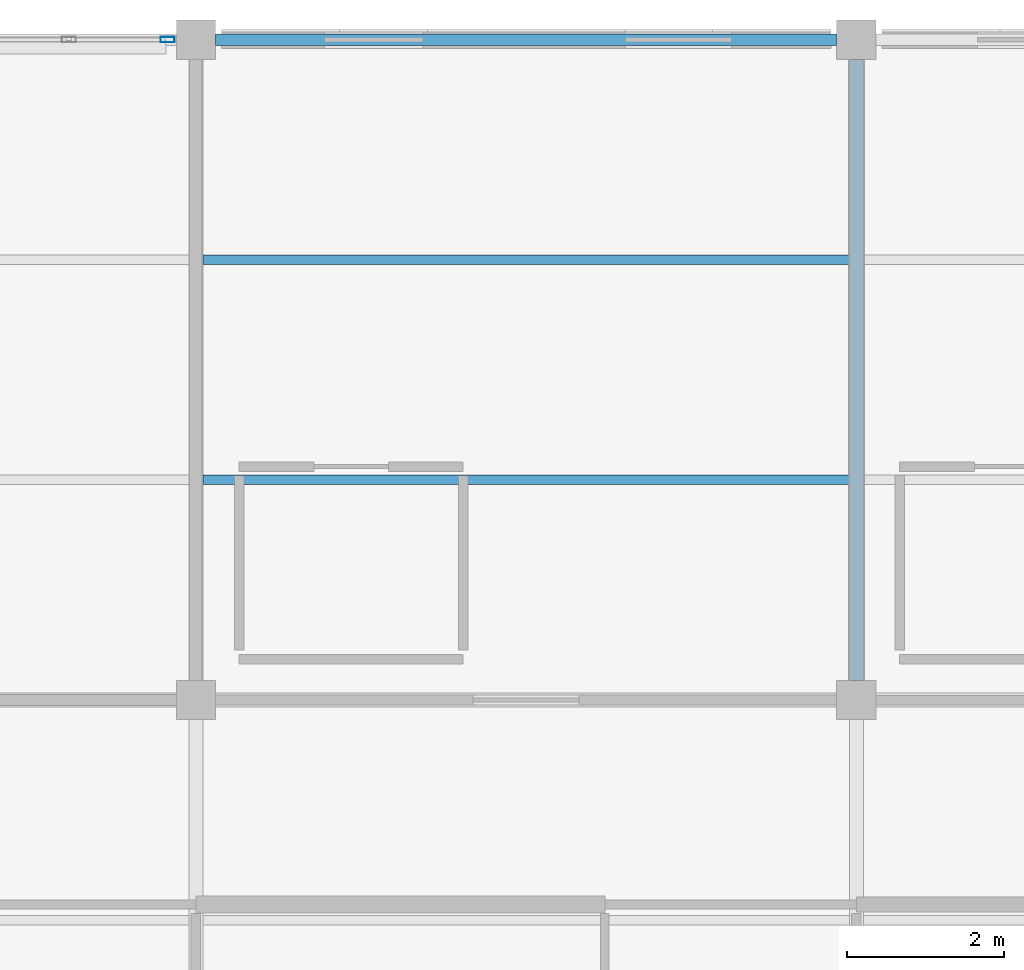
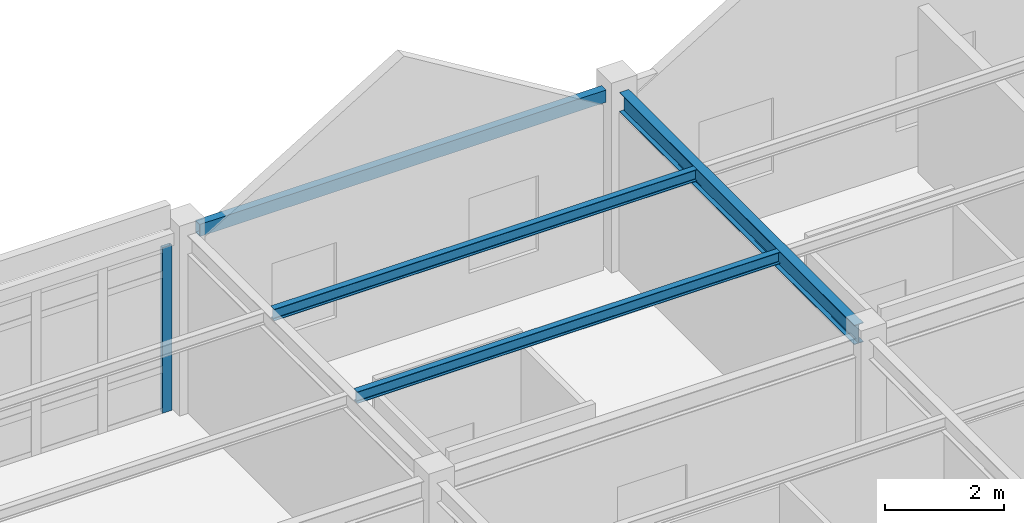
# One storey, part 21 of 45: 4 beams, 1 member, 1 element without a shape of its own.
"""IFC4 building model written with IfcOpenShell, lengths in metres."""

import ifcopenshell
import ifcopenshell.guid

model = None  # the IFC model being written
_history = None  # IfcOwnerHistory: only IFC2X3 demands one
_inside = {}  # id of a spatial element -> (the spatial element, [elements in it])
_under = {}  # id of a project, library or spatial element -> (it, [spatial elements below it])
_declared = {}  # id of a project -> (the project, [libraries it declares])
_typed = {}  # id of a type object -> (the type object, [elements of that type])
_made_of = {}  # id of a material, layer set ... -> (it, [elements and type objects made of it])


def new_model(schema):
    """Start an empty IFC model of exactly this schema.

    Asked for "IFC4X3", IfcOpenShell would pick the latest addendum, in which some entities
    have other attributes; the version numbers below select the first issue.
    IFC2X3 requires an IfcOwnerHistory on every rooted entity: one is made here for all.
    """
    global model, _history
    if schema == "IFC4X3":
        model = ifcopenshell.file(schema_version=(4, 3, 0, 0))
    else:
        model = ifcopenshell.file(schema=schema)
    _inside.clear()
    _under.clear()
    _declared.clear()
    _typed.clear()
    _made_of.clear()
    _history = None
    if model.schema == "IFC2X3":
        org = make("IfcOrganization", Name="unknown")
        user = make(
            "IfcPersonAndOrganization",
            ThePerson=make("IfcPerson", FamilyName="unknown"),
            TheOrganization=org,
        )
        app = make(
            "IfcApplication",
            ApplicationDeveloper=org,
            Version="unknown",
            ApplicationFullName="unknown",
            ApplicationIdentifier="unknown",
        )
        _history = make(
            "IfcOwnerHistory",
            OwningUser=user,
            OwningApplication=app,
            ChangeAction="ADDED",
            CreationDate=0,
        )
    return model


def make(cls, **values):
    """One entity of the class cls with the attributes given. An attribute that is None is left unset."""
    return model.create_entity(
        cls, **{name: value for name, value in values.items() if value is not None}
    )


def rooted(cls, **values):
    """An entity with a GlobalId (a new one), such as an element, a storey or a relation."""
    return make(cls, GlobalId=ifcopenshell.guid.new(), OwnerHistory=_history, **values)


def si_unit(unit_type, name, prefix=None):
    """IfcSIUnit, for example si_unit("LENGTHUNIT", "METRE", prefix="MILLI")."""
    return make("IfcSIUnit", UnitType=unit_type, Prefix=prefix, Name=name)


def assignment(units):
    """IfcUnitAssignment: the units of a project."""
    return None if units is None else make("IfcUnitAssignment", Units=units)


def point(xyz):
    """IfcCartesianPoint."""
    return None if xyz is None else make("IfcCartesianPoint", Coordinates=xyz)


def direction(xyz):
    """IfcDirection."""
    return None if xyz is None else make("IfcDirection", DirectionRatios=xyz)


def frame(location, z_axis=None, x_axis=None):
    """IfcAxis2Placement3D, a coordinate frame: its origin and axes. An axis left out is left unset."""
    return make(
        "IfcAxis2Placement3D",
        Location=point(location),
        Axis=direction(z_axis),
        RefDirection=direction(x_axis),
    )


def frame_2d(location, x_axis=None):
    """IfcAxis2Placement2D, a coordinate frame in the plane: its origin and x axis."""
    return make(
        "IfcAxis2Placement2D", Location=point(location), RefDirection=direction(x_axis)
    )


def origin():
    """The frame at (0, 0, 0) with its axes left unset."""
    return frame((0.0, 0.0, 0.0))


def origin_2d():
    """The frame at (0, 0) in the plane with its x axis left unset."""
    return frame_2d((0.0, 0.0))


def place(relative_to, where):
    """IfcLocalPlacement: puts the frame where relative to a parent placement (None: the world)."""
    return make(
        "IfcLocalPlacement", PlacementRelTo=relative_to, RelativePlacement=where
    )


def context(
    kind, dimensions, precision=None, world=None, true_north=None, identifier=None
):
    """IfcGeometricRepresentationContext, for example the 3D "Model" context."""
    return make(
        "IfcGeometricRepresentationContext",
        ContextIdentifier=identifier,
        ContextType=kind,
        CoordinateSpaceDimension=dimensions,
        Precision=precision,
        WorldCoordinateSystem=world,
        TrueNorth=true_north,
    )


def subcontext(parent, identifier, kind, view, scale=None):
    """IfcGeometricRepresentationSubContext, for example "Body" below "Model"."""
    return make(
        "IfcGeometricRepresentationSubContext",
        ContextIdentifier=identifier,
        ContextType=kind,
        ParentContext=parent,
        TargetScale=scale,
        TargetView=view,
    )


def project(units=None, contexts=None):
    """IfcProject with its units and contexts."""
    return rooted(
        "IfcProject",
        Name="project",
        RepresentationContexts=contexts,
        UnitsInContext=assignment(units),
    )


def spatial(cls, under=None, at=None, **own):
    """A site, building, storey or space (cls), placed at a placement, below another one or the project."""
    s = rooted(cls, ObjectPlacement=at, **own)
    if under is not None:
        _under.setdefault(under.id(), (under, []))[1].append(s)
    return s


def profile(cls, at=None, kind="AREA", **sizes):
    """A parametric profile (cls). Its sizes go by their IFC names, for example OverallWidth=200.0."""
    return make(cls, ProfileType=kind, Position=at, **sizes)


def hollow_rectangle(**sizes):
    """IfcRectangleHollowProfileDef."""
    return profile("IfcRectangleHollowProfileDef", **sizes)


def i_section(**sizes):
    """IfcIShapeProfileDef."""
    return profile("IfcIShapeProfileDef", **sizes)


def extrude(swept, where, along, depth):
    """IfcExtrudedAreaSolid: the profile swept, set in the frame where, extruded along a direction by depth."""
    return make(
        "IfcExtrudedAreaSolid",
        SweptArea=swept,
        Position=where,
        ExtrudedDirection=direction(along),
        Depth=depth,
    )


def shape(context_of_items, identifier, shape_type, items):
    """IfcShapeRepresentation: the items that make up one representation, for example the "Body"."""
    return make(
        "IfcShapeRepresentation",
        ContextOfItems=context_of_items,
        RepresentationIdentifier=identifier,
        RepresentationType=shape_type,
        Items=items,
    )


def material(Name=None, Category=None):
    """IfcMaterial."""
    return make("IfcMaterial", Name=Name, Category=Category)


def layer(
    of_material, thickness, ventilated=None, Name=None, Category=None, Priority=None
):
    """IfcMaterialLayer: one layer of a wall or slab, of a material (None: an air gap)."""
    return make(
        "IfcMaterialLayer",
        Material=of_material,
        LayerThickness=thickness,
        IsVentilated=ventilated,
        Name=Name,
        Category=Category,
        Priority=Priority,
    )


def layer_set(layers, Name=None):
    """IfcMaterialLayerSet."""
    return make("IfcMaterialLayerSet", MaterialLayers=layers, LayerSetName=Name)


def material_profile(
    of_material, cross_section, Name=None, Category=None, Priority=None
):
    """IfcMaterialProfile: a cross section and its material."""
    return make(
        "IfcMaterialProfile",
        Name=Name,
        Material=of_material,
        Profile=cross_section,
        Priority=Priority,
        Category=Category,
    )


def profile_set(profiles, Name=None, composite=None):
    """IfcMaterialProfileSet."""
    return make(
        "IfcMaterialProfileSet",
        Name=Name,
        MaterialProfiles=profiles,
        CompositeProfile=composite,
    )


def made_of(thing, what):
    """Note that an element or type object is made of a material, layer set ...; save() writes the relation."""
    if what is not None:
        _made_of.setdefault(what.id(), (what, []))[1].append(thing)
    return thing


def type_object(cls, material=None, **own):
    """A type object (cls), such as IfcWallType, which elements share."""
    return made_of(rooted(cls, **own), material)


def element(
    cls,
    number,
    at=None,
    inside=None,
    cuts=None,
    type_object=None,
    material=None,
    context=None,
    identifier="Body",
    shape_type=None,
    held_by="IfcProductDefinitionShape",
    body=None,
    shapes=None,
    **own,
):
    """One element of the class cls, such as IfcWall. Its Tag is "e" and its number.

    at: its placement. inside: the storey or other place that contains it. cuts: it is an
    opening in that element (IfcRelVoidsElement). A single representation is given by context,
    identifier, shape_type and body (its items); several are given by shapes. held_by: the class
    of the entity that holds the representations. save() writes the other relations.
    """
    e = rooted(cls, Tag="e%d" % number, ObjectPlacement=at, **own)
    if body is not None:
        shapes = [shape(context, identifier, shape_type, body)]
    if shapes is not None:
        e.Representation = make(held_by, Representations=shapes)
    if inside is not None:
        _inside.setdefault(inside.id(), (inside, []))[1].append(e)
    if cuts is not None:
        rooted(
            "IfcRelVoidsElement", RelatingBuildingElement=cuts, RelatedOpeningElement=e
        )
    if type_object is not None:
        _typed.setdefault(type_object.id(), (type_object, []))[1].append(e)
    return made_of(e, material)


def aggregate(whole, parts):
    """IfcRelAggregates: a whole, such as a stair, and the parts it consists of."""
    return rooted("IfcRelAggregates", RelatingObject=whole, RelatedObjects=parts)


def save(model, path):
    """Write the relations noted so far, then the file.

    IfcRelAggregates (storeys below a building ...), IfcRelContainedInSpatialStructure (elements
    in a storey), IfcRelDefinesByType, IfcRelAssociatesMaterial and IfcRelDeclares: one each for
    every whole, place, type object, material and project.
    """
    for whole, parts in _under.values():
        aggregate(whole, parts)
    for where, things in _inside.values():
        rooted(
            "IfcRelContainedInSpatialStructure",
            RelatedElements=things,
            RelatingStructure=where,
        )
    for kind, things in _typed.values():
        rooted("IfcRelDefinesByType", RelatedObjects=things, RelatingType=kind)
    for what, things in _made_of.values():
        rooted("IfcRelAssociatesMaterial", RelatedObjects=things, RelatingMaterial=what)
    for by, libraries in _declared.values():
        rooted("IfcRelDeclares", RelatingContext=by, RelatedDefinitions=libraries)
    model.write(path)


model = new_model("IFC4")

# Units and contexts
model_context = context("Model", 3, precision=1e-05, world=origin(), true_north=direction((0.0, 1.0)))
body_context = subcontext(model_context, "Body", "Model", "MODEL_VIEW")
ifc_project = project(units=[si_unit("LENGTHUNIT", "METRE"), si_unit("AREAUNIT", "SQUARE_METRE"), si_unit("VOLUMEUNIT", "CUBIC_METRE"), si_unit("PLANEANGLEUNIT", "RADIAN"), si_unit("MASSUNIT", "GRAM", prefix="KILO")], contexts=[model_context])

# Site, building, storey
site_placement = place(None, origin())
site = spatial("IfcSite", under=ifc_project, at=site_placement, CompositionType="ELEMENT")
building_placement = place(site_placement, origin())
building = spatial("IfcBuilding", under=site, at=building_placement, Name="Bramfleet General Hospital", CompositionType="ELEMENT")
storey_placement = place(building_placement, frame((0.0, 0.0, 30.300048828125)))
storey = spatial("IfcBuildingStorey", under=building, at=storey_placement, Name="L07", CompositionType="ELEMENT", Elevation=30.300048828125)

# Beams
ifc_material_1 = material(Name="Steel S355", Category="steel")
ifc_material_profile_1 = material_profile(ifc_material_1, i_section(OverallWidth=0.1201171875, OverallDepth=0.239990234375, WebThickness=0.006103515625, FlangeThickness=0.009765625, FilletRadius=0.014892578125, at=origin_2d()), Name="IPE 240")
ifc_profile_set_1 = profile_set([ifc_material_profile_1], Name="Steel S355")
beam_type_1 = type_object("IfcBeamType", Name="BM-IPE240", PredefinedType="JOIST", material=ifc_profile_set_1)
for number, where, z_axis, x_axis, name in (
    (1, (84.090087890625, 112.0, 3.5400390625), (1.0, 0.0, 0.0), (0.0, 1.0, 0.0), "L07 Secondary Joist 10-13-1"),
    (2, (84.090087890625, 114.800048828125, 3.5400390625), (1.0, 0.0, 0.0), (0.0, 1.0, 0.0), "L07 Secondary Joist 10-13-2"),
):
    element("IfcBeam", number, at=place(storey_placement, frame(where, z_axis=z_axis, x_axis=x_axis)), inside=storey, type_object=beam_type_1, Name=name, PredefinedType="JOIST", context=body_context, shape_type="SweptSolid", body=[
        extrude(i_section(OverallWidth=0.1201171875, OverallDepth=0.239990234375, WebThickness=0.006103515625, FlangeThickness=0.009765625, FilletRadius=0.014892578125, at=origin_2d()), origin(), (0.0, 0.0, 1.0), 8.219970703125),
    ])
ifc_material_profile_2 = material_profile(ifc_material_1, i_section(OverallWidth=0.179931640625, OverallDepth=0.39990234375, WebThickness=0.008544921875, FlangeThickness=0.013427734375, FilletRadius=0.02099609375, at=origin_2d()), Name="IPE 400")
ifc_profile_set_2 = profile_set([ifc_material_profile_2], Name="Steel S355")
beam_type_2 = type_object("IfcBeamType", Name="BM-IPE400", PredefinedType="BEAM", material=ifc_profile_set_2)
beam_1_placement = place(storey_placement, frame((92.39990234375, 109.449951171875, 3.4599609375), z_axis=(0.0, 1.0, 0.0), x_axis=(-1.0, 0.0, 0.0)))
element("IfcBeam", 3, at=beam_1_placement, inside=storey, type_object=beam_type_2, Name="L07 Grid Beam Y 11-13", PredefinedType="BEAM", context=body_context, shape_type="SweptSolid", body=[
    extrude(i_section(OverallWidth=0.179931640625, OverallDepth=0.39990234375, WebThickness=0.008544921875, FlangeThickness=0.013427734375, FilletRadius=0.02099609375, at=origin_2d()), origin(), (0.0, 0.0, 1.0), 7.900146484375),
])
ifc_material_profile_3 = material_profile(ifc_material_1, hollow_rectangle(XDim=0.14990234375, YDim=0.25, WallThickness=0.010009765625, at=origin_2d()), Name="RHS 250x150x10.0")
ifc_profile_set_3 = profile_set([ifc_material_profile_3], Name="Steel S355")
beam_type_3 = type_object("IfcBeamType", Name="BM-RHS250", PredefinedType="SPANDREL", material=ifc_profile_set_3)
beam_2_placement = place(storey_placement, frame((84.25, 117.60009765625, 3.534912109375), z_axis=(1.0, 0.0, 0.0), x_axis=(0.0, 1.0, 0.0)))
element("IfcBeam", 4, at=beam_2_placement, inside=storey, type_object=beam_type_3, Name="L07 Grid Beam X 10-14", PredefinedType="SPANDREL", context=body_context, shape_type="SweptSolid", body=[
    extrude(hollow_rectangle(XDim=0.14990234375, YDim=0.25, WallThickness=0.010009765625, at=origin_2d()), origin(), (0.0, 0.0, 1.0), 7.89990234375),
])

# Curtain wall, member
ifc_material_2 = material(Name="Anodised aluminium and low-E triple glazing", Category="aluminium")
ifc_layer = layer(ifc_material_2, 0.179931640625, Name="CWT-CW-08")
ifc_layer_set = layer_set([ifc_layer], Name="Anodised aluminium and low-E triple glazing")
curtain_wall_type = type_object("IfcCurtainWallType", Name="CWT-CW-08", PredefinedType="USERDEFINED", material=ifc_layer_set)
curtain_wall_placement = place(storey_placement, origin())
curtain_wall = element("IfcCurtainWall", 5, at=curtain_wall_placement, inside=storey, type_object=curtain_wall_type, Name="L07 Curtain Wall 224", ObjectType="Unitised curtain wall", PredefinedType="USERDEFINED")
ifc_material_3 = material(Name="Anodised aluminium EN AW-6060", Category="aluminium")
ifc_material_profile_4 = material_profile(ifc_material_3, hollow_rectangle(XDim=0.070068359375, YDim=0.179931640625, WallThickness=0.00390625, at=origin_2d()), Name="ALU 180x70x4.0")
ifc_profile_set_4 = profile_set([ifc_material_profile_4], Name="Anodised aluminium EN AW-6060")
member_type = type_object("IfcMemberType", Name="CWM-ALU180", PredefinedType="MULLION", material=ifc_profile_set_4)
member_placement = place(storey_placement, frame((83.639892578125, 117.60009765625, 0.0), z_axis=(0.0, 0.0, 1.0), x_axis=(0.0, 1.0, 0.0)))
member = element("IfcMember", 6, at=member_placement, type_object=member_type, Name="CW-08 mullion 7", PredefinedType="MULLION", context=body_context, shape_type="SweptSolid", body=[
    extrude(hollow_rectangle(XDim=0.070068359375, YDim=0.179931640625, WallThickness=0.00390625, at=origin_2d()), origin(), (0.0, 0.0, 1.0), 3.39990234375),
])
aggregate(curtain_wall, [member])

save(model, "model.ifc")
